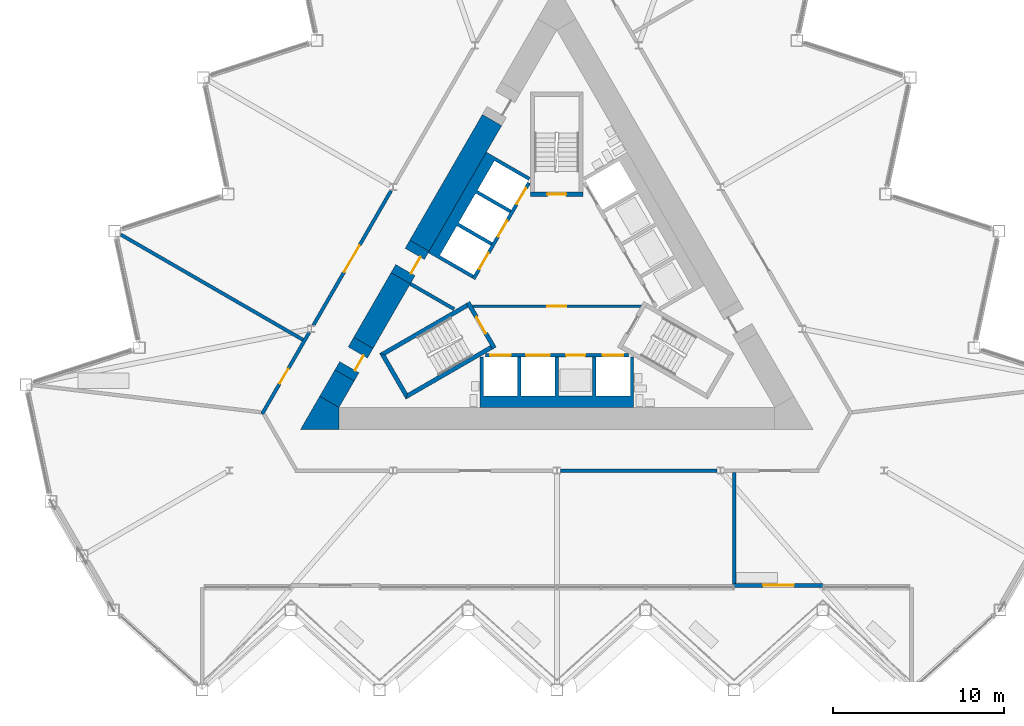
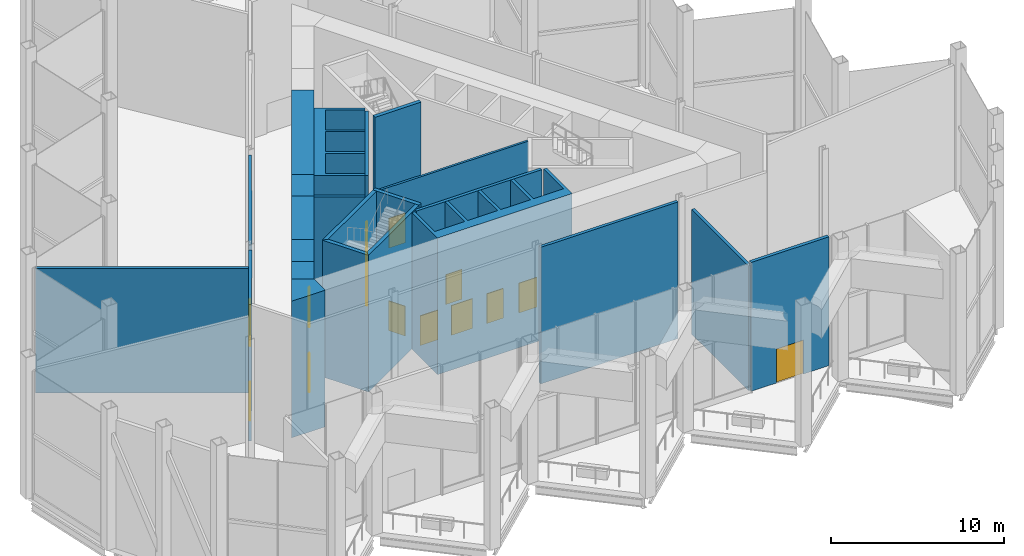
# One storey, part 9 of 17: 23 walls, 15 doors, 15 openings.
"""IFC4 building model written with IfcOpenShell, lengths in metres."""

from ifc_helpers import new_model, si_unit, direction, frame, frame_2d, origin, place, context, subcontext, project, spatial, polyline, rectangle, outline, extrude, material, layer, layer_set, type_object, element, fill, save


model = new_model("IFC4")

# Units and contexts
model_context = context("Model", 3, precision=1e-05, world=origin(), true_north=direction((0.0, 1.0)))
body_context = subcontext(model_context, "Body", "Model", "MODEL_VIEW")
ifc_project = project(units=[si_unit("LENGTHUNIT", "METRE"), si_unit("AREAUNIT", "SQUARE_METRE"), si_unit("VOLUMEUNIT", "CUBIC_METRE"), si_unit("PLANEANGLEUNIT", "RADIAN"), si_unit("MASSUNIT", "GRAM", prefix="KILO")], contexts=[model_context])

# Site, building, storey
site_placement = place(None, origin())
site = spatial("IfcSite", under=ifc_project, at=site_placement, CompositionType="ELEMENT")
building_placement = place(site_placement, origin())
building = spatial("IfcBuilding", under=site, at=building_placement, Name="Cormorant Prow Tower", CompositionType="ELEMENT")
storey_placement = place(building_placement, frame((0.0, 0.0, 277.800048828125)))
storey = spatial("IfcBuildingStorey", under=building, at=storey_placement, Name="L63", CompositionType="ELEMENT", Elevation=277.800048828125)

# Wall, opening, door
ifc_material_1 = material(Name="Gypsum board partition")
ifc_layer_1 = layer(ifc_material_1, 0.14990234375)
ifc_layer_set_1 = layer_set([ifc_layer_1], Name="Gypsum board partition")
wall_type_1 = type_object("IfcWallType", Name="Core partition 150", PredefinedType="PARTITIONING", material=ifc_layer_set_1)
wall_1_placement = place(storey_placement, frame((-4.941162109375, -1.449951171875, 0.0), z_axis=(0.0, 0.0, 1.0), x_axis=(1.0, 0.0, 0.0)))
wall_1 = element("IfcWall", 1, at=wall_1_placement, inside=storey, type_object=wall_type_1, Name="Firefighting lobby partition", PredefinedType="PARTITIONING", context=body_context, shape_type="SweptSolid", body=[
    extrude(rectangle(XDim=9.88232421875, YDim=0.14990234375, at=frame_2d((4.941162109375, 0.0))), origin(), (0.0, 0.0, 1.0), 9.64990234375),
])
opening_1_placement = place(wall_1_placement, frame((4.39111328125, 0.0, 0.0)))
opening_1 = element("IfcOpeningElement", 2, at=opening_1_placement, cuts=wall_1, Name="Opening L63-C12", PredefinedType="OPENING", context=body_context, shape_type="SweptSolid", body=[
    extrude(rectangle(XDim=1.10009765625, YDim=2.10009765625, at=frame_2d((0.550048828125, 1.050048828125))), frame((0.0, 0.0849609375, 0.0), z_axis=(0.0, -1.0, 0.0), x_axis=(1.0, 0.0, 0.0)), (0.0, 0.0, 1.0), 0.169921875),
])
ifc_material_2 = material(Name="Painted steel", Category="steel")
door_type_1 = type_object("IfcDoorType", Name="Firefighting lobby door 1100x2100", OperationType="NOTDEFINED", PredefinedType="DOOR", material=ifc_material_2)
door_1_placement = place(opening_1_placement, origin())
door_1 = element("IfcDoor", 3, at=door_1_placement, inside=storey, type_object=door_type_1, Name="Firefighting lobby door", OperationType="SINGLE_SWING_LEFT", OverallHeight=2.10009765625, OverallWidth=1.10009765625, PredefinedType="DOOR", context=body_context, shape_type="SweptSolid", body=[
    extrude(rectangle(XDim=1.10009765625, YDim=2.10009765625, at=frame_2d((0.550048828125, 1.050048828125))), frame((0.0, 0.02490234375, 0.0), z_axis=(0.0, -1.0, 0.0), x_axis=(1.0, 0.0, 0.0)), (0.0, 0.0, 1.0), 0.050048828125),
])
fill(opening_1, door_1)

# Walls
ifc_material_3 = material(Name="Concrete 8000 psi", Category="concrete")
ifc_layer_2 = layer(ifc_material_3, 1.300048828125)
ifc_layer_set_2 = layer_set([ifc_layer_2], Name="Concrete 8000 psi")
wall_type_2 = type_object("IfcWallType", Name="Core shear wall 1300", PredefinedType="SHEAR", material=ifc_layer_set_2)
wall_2_placement = place(storey_placement, frame((-3.79296875, 9.450927734375, 0.0), z_axis=(0.0, 0.0, 1.0), x_axis=(-0.499999641798, -0.866025610592, 0.0)))
element("IfcWall", 4, at=wall_2_placement, inside=storey, type_object=wall_type_2, Name="Core wall", PredefinedType="SHEAR", context=body_context, shape_type="SweptSolid", body=[
    extrude(rectangle(XDim=8.48828125, YDim=1.300048828125, at=frame_2d((4.244140625, 0.0))), origin(), (0.0, 0.0, 1.0), 9.64990234375),
])
wall_3_placement = place(storey_placement, frame((-9.13720703125, 0.194580078125, 0.0), z_axis=(0.0, 0.0, 1.0), x_axis=(-0.499985697398, -0.866033661238, 0.0)))
element("IfcWall", 5, at=wall_3_placement, inside=storey, type_object=wall_type_2, Name="Core wall", PredefinedType="SHEAR", context=body_context, shape_type="SweptSolid", body=[
    extrude(rectangle(XDim=4.362060546875, YDim=1.300048828125, at=frame_2d((2.18115234375, 0.0))), origin(), (0.0, 0.0, 1.0), 9.64990234375),
])
wall_4_placement = place(storey_placement, frame((-12.418212890625, -5.48828125, 0.0), z_axis=(0.0, 0.0, 1.0), x_axis=(-0.499931460552, -0.866064971437, 0.0)))
element("IfcWall", 6, at=wall_4_placement, inside=storey, type_object=wall_type_2, Name="Core wall", PredefinedType="SHEAR", context=body_context, shape_type="SweptSolid", body=[
    extrude(rectangle(XDim=1.786376953125, YDim=1.300048828125, at=frame_2d((0.89306640625, 0.0))), origin(), (0.0, 0.0, 1.0), 9.64990234375),
])
wall_5_placement = place(storey_placement, origin())
element("IfcWall", 7, at=wall_5_placement, inside=storey, type_object=wall_type_2, Name="Core wall corner", PredefinedType="SHEAR", context=body_context, shape_type="SweptSolid", body=[
    extrude(outline(polyline([(-13.874267578125, -6.710205078125), (-12.748291015625, -7.3603515625), (-12.748291015625, -8.660400390625), (-15.0, -8.660400390625), (-13.874267578125, -6.710205078125)])), origin(), (0.0, 0.0, 1.0), 9.64990234375),
])

# Wall, opening, door
wall_6_placement = place(storey_placement, frame((-11.318115234375, -3.5830078125, 0.0), z_axis=(0.0, 0.0, 1.0), x_axis=(-0.50002983664, -0.866008176907, 0.0)))
wall_6 = element("IfcWall", 8, at=wall_6_placement, inside=storey, type_object=wall_type_2, Name="Core wall door panel", PredefinedType="SHEAR", context=body_context, shape_type="SweptSolid", body=[
    extrude(rectangle(XDim=2.199951171875, YDim=1.300048828125, at=frame_2d((1.10009765625, 0.0))), origin(), (0.0, 0.0, 1.0), 9.64990234375),
])
opening_2_placement = place(wall_6_placement, frame((0.64990234375, 0.0, 0.0)))
opening_2 = element("IfcOpeningElement", 9, at=opening_2_placement, cuts=wall_6, Name="Opening L63-C16", PredefinedType="OPENING", context=body_context, shape_type="SweptSolid", body=[
    extrude(rectangle(XDim=1.0, YDim=2.10009765625, at=frame_2d((0.5, 1.050048828125))), frame((0.0, 0.659912109375, 0.0), z_axis=(0.0, -1.0, 0.0), x_axis=(1.0, 0.0, 0.0)), (0.0, 0.0, 1.0), 1.320068359375),
])
ifc_material_4 = material(Name="Painted steel", Category="steel")
door_type_2 = type_object("IfcDoorType", Name="Service door 1000x2100", OperationType="NOTDEFINED", PredefinedType="DOOR", material=ifc_material_4)
door_2_placement = place(opening_2_placement, origin())
door_2 = element("IfcDoor", 10, at=door_2_placement, inside=storey, type_object=door_type_2, Name="Core door, Accessible WC L63", OperationType="SINGLE_SWING_LEFT", OverallHeight=2.10009765625, OverallWidth=1.0, PredefinedType="DOOR", context=body_context, shape_type="SweptSolid", body=[
    extrude(rectangle(XDim=1.0, YDim=2.10009765625, at=frame_2d((0.5, 1.050048828125))), frame((0.0, 0.40478515625, 0.0), z_axis=(0.0, -1.0, 0.0), x_axis=(1.0, 0.0, 0.0)), (0.0, 0.0, 1.0), 0.050048828125),
])
fill(opening_2, door_2)

wall_7_placement = place(storey_placement, frame((-8.037109375, 2.099853515625, 0.0), z_axis=(0.0, 0.0, 1.0), x_axis=(-0.50002983664, -0.866008176907, 0.0)))
wall_7 = element("IfcWall", 11, at=wall_7_placement, inside=storey, type_object=wall_type_2, Name="Core wall door panel", PredefinedType="SHEAR", context=body_context, shape_type="SweptSolid", body=[
    extrude(rectangle(XDim=2.199951171875, YDim=1.300048828125, at=frame_2d((1.10009765625, 0.0))), origin(), (0.0, 0.0, 1.0), 9.64990234375),
])
opening_3_placement = place(wall_7_placement, frame((0.550048828125, 0.0, 0.0)))
opening_3 = element("IfcOpeningElement", 12, at=opening_3_placement, cuts=wall_7, Name="Opening L63-C19", PredefinedType="OPENING", context=body_context, shape_type="SweptSolid", body=[
    extrude(rectangle(XDim=1.10009765625, YDim=2.10009765625, at=frame_2d((0.550048828125, 1.050048828125))), frame((0.0, 0.659912109375, 0.0), z_axis=(0.0, -1.0, 0.0), x_axis=(1.0, 0.0, 0.0)), (0.0, 0.0, 1.0), 1.320068359375),
])
ifc_material_5 = material(Name="Painted steel", Category="steel")
door_type_3 = type_object("IfcDoorType", Name="Core door 1100x2100", OperationType="NOTDEFINED", PredefinedType="DOOR", material=ifc_material_5)
door_3_placement = place(opening_3_placement, origin())
door_3 = element("IfcDoor", 13, at=door_3_placement, inside=storey, type_object=door_type_3, Name="Core door, lift lobby", OperationType="SINGLE_SWING_RIGHT", OverallHeight=2.10009765625, OverallWidth=1.10009765625, PredefinedType="DOOR", context=body_context, shape_type="SweptSolid", body=[
    extrude(rectangle(XDim=1.10009765625, YDim=2.10009765625, at=frame_2d((0.550048828125, 1.050048828125))), frame((0.0, 0.40478515625, 0.0), z_axis=(0.0, -1.0, 0.0), x_axis=(1.0, 0.0, 0.0)), (0.0, 0.0, 1.0), 0.050048828125),
])
fill(opening_3, door_3)

# Wall
ifc_material_6 = material(Name="Gypsum board corridor wall")
ifc_layer_3 = layer(ifc_material_6, 0.199951171875)
ifc_layer_set_3 = layer_set([ifc_layer_3], Name="Gypsum board corridor wall")
wall_type_3 = type_object("IfcWallType", Name="Corridor wall 200", PredefinedType="PARTITIONING", material=ifc_layer_set_3)
wall_8_placement = place(storey_placement, frame((0.20947265625, -11.060302734375, 0.0), z_axis=(0.0, 0.0, 1.0), x_axis=(1.0, 0.0, 0.0)))
element("IfcWall", 14, at=wall_8_placement, inside=storey, type_object=wall_type_3, Name="Corridor wall", PredefinedType="PARTITIONING", context=body_context, shape_type="SweptSolid", body=[
    extrude(rectangle(XDim=9.159423828125, YDim=0.199951171875, at=frame_2d((4.57958984375, 0.0))), origin(), (0.0, 0.0, 1.0), 9.64990234375),
])

# Wall, opening, door
wall_9_placement = place(storey_placement, frame((-14.24658203125, -2.5556640625, 0.0), z_axis=(0.0, 0.0, 1.0), x_axis=(0.49998193945, 0.866035830797, 0.0)))
wall_9 = element("IfcWall", 15, at=wall_9_placement, inside=storey, type_object=wall_type_3, Name="Corridor wall", PredefinedType="PARTITIONING", context=body_context, shape_type="SweptSolid", body=[
    extrude(rectangle(XDim=9.094482421875, YDim=0.199951171875, at=frame_2d((4.54736328125, 0.0))), origin(), (0.0, 0.0, 1.0), 9.64990234375),
])
opening_4_placement = place(wall_9_placement, frame((3.5966796875, 0.0, 0.0)))
opening_4 = element("IfcOpeningElement", 16, at=opening_4_placement, cuts=wall_9, Name="Opening L63-F05", PredefinedType="OPENING", context=body_context, shape_type="SweptSolid", body=[
    extrude(rectangle(XDim=1.800048828125, YDim=2.10009765625, at=frame_2d((0.89990234375, 1.050048828125))), frame((0.0, 0.10986328125, 0.0), z_axis=(0.0, -1.0, 0.0), x_axis=(1.0, 0.0, 0.0)), (0.0, 0.0, 1.0), 0.219970703125),
])
ifc_material_7 = material(Name="Timber door leaf", Category="wood")
door_type_4 = type_object("IfcDoorType", Name="Double door 1800x2100", OperationType="DOUBLE_DOOR_SINGLE_SWING", PredefinedType="DOOR", material=ifc_material_7)
door_4_placement = place(opening_4_placement, origin())
door_4 = element("IfcDoor", 17, at=door_4_placement, inside=storey, type_object=door_type_4, Name="Executive suites door", OperationType="DOUBLE_DOOR_SINGLE_SWING", OverallHeight=2.10009765625, OverallWidth=1.800048828125, PredefinedType="DOOR", context=body_context, shape_type="SweptSolid", body=[
    extrude(rectangle(XDim=1.800048828125, YDim=2.10009765625, at=frame_2d((0.89990234375, 1.050048828125))), frame((0.0, 0.02490234375, 0.0), z_axis=(0.0, -1.0, 0.0), x_axis=(1.0, 0.0, 0.0)), (0.0, 0.0, 1.0), 0.050048828125),
])
fill(opening_4, door_4)

wall_10_placement = place(storey_placement, frame((-17.243896484375, -7.746826171875, 0.0), z_axis=(0.0, 0.0, 1.0), x_axis=(0.500017753321, 0.866015153657, 0.0)))
wall_10 = element("IfcWall", 18, at=wall_10_placement, inside=storey, type_object=wall_type_3, Name="Corridor wall", PredefinedType="PARTITIONING", context=body_context, shape_type="SweptSolid", body=[
    extrude(rectangle(XDim=5.510498046875, YDim=0.199951171875, at=frame_2d((2.75537109375, 0.0))), origin(), (0.0, 0.0, 1.0), 9.64990234375),
])
opening_5_placement = place(wall_10_placement, frame((2.0546875, 0.0, 0.0)))
opening_5 = element("IfcOpeningElement", 19, at=opening_5_placement, cuts=wall_10, Name="Opening L63-F06", PredefinedType="OPENING", context=body_context, shape_type="SweptSolid", body=[
    extrude(rectangle(XDim=1.0, YDim=2.10009765625, at=frame_2d((0.5, 1.050048828125))), frame((0.0, 0.10986328125, 0.0), z_axis=(0.0, -1.0, 0.0), x_axis=(1.0, 0.0, 0.0)), (0.0, 0.0, 1.0), 0.219970703125),
])
ifc_material_8 = material(Name="Timber door leaf", Category="wood")
door_type_5 = type_object("IfcDoorType", Name="Flat or room entrance door 1000x2100", OperationType="NOTDEFINED", PredefinedType="DOOR", material=ifc_material_8)
door_5_placement = place(opening_5_placement, origin())
door_5 = element("IfcDoor", 20, at=door_5_placement, inside=storey, type_object=door_type_5, Name="Sky lobby door", OperationType="SINGLE_SWING_RIGHT", OverallHeight=2.10009765625, OverallWidth=1.0, PredefinedType="DOOR", context=body_context, shape_type="SweptSolid", body=[
    extrude(rectangle(XDim=1.0, YDim=2.10009765625, at=frame_2d((0.5, 1.050048828125))), frame((0.0, 0.02490234375, 0.0), z_axis=(0.0, -1.0, 0.0), x_axis=(1.0, 0.0, 0.0)), (0.0, 0.0, 1.0), 0.050048828125),
])
fill(opening_5, door_5)

# Walls
ifc_material_9 = material(Name="Gypsum board demising wall")
ifc_layer_4 = layer(ifc_material_9, 0.199951171875)
ifc_layer_set_4 = layer_set([ifc_layer_4], Name="Gypsum board demising wall")
wall_type_4 = type_object("IfcWallType", Name="Demising wall 200", PredefinedType="PARTITIONING", material=ifc_layer_set_4)
wall_11_placement = place(storey_placement, frame((-25.514892578125, 2.749267578125, 0.0), z_axis=(0.0, 0.0, 1.0), x_axis=(0.866024427045, -0.500001691758, 0.0)))
element("IfcWall", 21, at=wall_11_placement, inside=storey, type_object=wall_type_4, Name="Demising wall", PredefinedType="PARTITIONING", context=body_context, shape_type="SweptSolid", body=[
    extrude(rectangle(XDim=12.31103515625, YDim=0.199951171875, at=frame_2d((6.155517578125, 0.0))), origin(), (0.0, 0.0, 1.0), 8.80419921875),
])
wall_12_placement = place(storey_placement, frame((10.37646484375, -17.746826171875, 0.0), z_axis=(0.0, 0.0, 1.0), x_axis=(0.0, 1.0, 0.0)))
element("IfcWall", 22, at=wall_12_placement, inside=storey, type_object=wall_type_4, Name="Demising wall", PredefinedType="PARTITIONING", context=body_context, shape_type="SweptSolid", body=[
    extrude(rectangle(XDim=6.58642578125, YDim=0.199951171875, at=frame_2d((3.293212890625, 0.0))), origin(), (0.0, 0.0, 1.0), 8.80419921875),
])

# Wall, openings, doors
ifc_material_10 = material(Name="Concrete 5000 psi", Category="concrete")
ifc_layer_5 = layer(ifc_material_10, 0.199951171875)
ifc_layer_set_5 = layer_set([ifc_layer_5], Name="Concrete 5000 psi")
wall_type_5 = type_object("IfcWallType", Name="Lift lobby wall 200", PredefinedType="SOLIDWALL", material=ifc_layer_set_5)
wall_13_placement = place(storey_placement, frame((-4.1865234375, -4.300048828125, 0.0), z_axis=(0.0, 0.0, 1.0), x_axis=(1.0, 0.0, 0.0)))
wall_13 = element("IfcWall", 23, at=wall_13_placement, inside=storey, type_object=wall_type_5, Name="Lift lobby wall, S block", PredefinedType="SOLIDWALL", context=body_context, shape_type="SweptSolid", body=[
    extrude(rectangle(XDim=8.373046875, YDim=0.199951171875, at=frame_2d((4.1865234375, 0.0))), origin(), (0.0, 0.0, 1.0), 9.64990234375),
])
opening_6_placement = place(wall_13_placement, frame((0.28662109375, 0.0, 0.0)))
opening_6 = element("IfcOpeningElement", 24, at=opening_6_placement, cuts=wall_13, Name="Opening L63-C01", PredefinedType="OPENING", context=body_context, shape_type="SweptSolid", body=[
    extrude(rectangle(XDim=1.199951171875, YDim=2.10009765625, at=frame_2d((0.60009765625, 1.050048828125))), frame((0.0, 0.10986328125, 0.0), z_axis=(0.0, -1.0, 0.0), x_axis=(1.0, 0.0, 0.0)), (0.0, 0.0, 1.0), 0.219970703125),
])
opening_7_placement = place(wall_13_placement, frame((2.38671875, 0.0, 0.0)))
opening_7 = element("IfcOpeningElement", 25, at=opening_7_placement, cuts=wall_13, Name="Opening L63-C02", PredefinedType="OPENING", context=body_context, shape_type="SweptSolid", body=[
    extrude(rectangle(XDim=1.39990234375, YDim=2.10009765625, at=frame_2d((0.699951171875, 1.050048828125))), frame((0.0, 0.10986328125, 0.0), z_axis=(0.0, -1.0, 0.0), x_axis=(1.0, 0.0, 0.0)), (0.0, 0.0, 1.0), 0.219970703125),
])
opening_8_placement = place(wall_13_placement, frame((4.736572265625, 0.0, 0.0)))
opening_8 = element("IfcOpeningElement", 26, at=opening_8_placement, cuts=wall_13, Name="Opening L63-C03", PredefinedType="OPENING", context=body_context, shape_type="SweptSolid", body=[
    extrude(rectangle(XDim=1.10009765625, YDim=2.10009765625, at=frame_2d((0.550048828125, 1.050048828125))), frame((0.0, 0.10986328125, 0.0), z_axis=(0.0, -1.0, 0.0), x_axis=(1.0, 0.0, 0.0)), (0.0, 0.0, 1.0), 0.219970703125),
])
opening_9_placement = place(wall_13_placement, frame((6.88671875, 0.0, 0.0)))
opening_9 = element("IfcOpeningElement", 27, at=opening_9_placement, cuts=wall_13, Name="Opening L63-C04", PredefinedType="OPENING", context=body_context, shape_type="SweptSolid", body=[
    extrude(rectangle(XDim=1.199951171875, YDim=2.10009765625, at=frame_2d((0.60009765625, 1.050048828125))), frame((0.0, 0.10986328125, 0.0), z_axis=(0.0, -1.0, 0.0), x_axis=(1.0, 0.0, 0.0)), (0.0, 0.0, 1.0), 0.219970703125),
])
ifc_material_11 = material(Name="Painted steel", Category="steel")
door_type_6 = type_object("IfcDoorType", Name="Firefighting lift landing door 1200x2100", OperationType="SLIDING_TO_LEFT", PredefinedType="DOOR", material=ifc_material_11)
door_6_placement = place(opening_6_placement, origin())
door_6 = element("IfcDoor", 28, at=door_6_placement, inside=storey, type_object=door_type_6, Name="Landing door FL1", OperationType="SLIDING_TO_LEFT", OverallHeight=2.10009765625, OverallWidth=1.199951171875, PredefinedType="DOOR", context=body_context, shape_type="SweptSolid", body=[
    extrude(rectangle(XDim=1.199951171875, YDim=2.10009765625, at=frame_2d((0.60009765625, 1.050048828125))), frame((0.0, 0.02490234375, 0.0), z_axis=(0.0, -1.0, 0.0), x_axis=(1.0, 0.0, 0.0)), (0.0, 0.0, 1.0), 0.050048828125),
])
fill(opening_6, door_6)
door_7_placement = place(opening_9_placement, origin())
door_7 = element("IfcDoor", 29, at=door_7_placement, inside=storey, type_object=door_type_6, Name="Landing door FL2", OperationType="SLIDING_TO_LEFT", OverallHeight=2.10009765625, OverallWidth=1.199951171875, PredefinedType="DOOR", context=body_context, shape_type="SweptSolid", body=[
    extrude(rectangle(XDim=1.199951171875, YDim=2.10009765625, at=frame_2d((0.60009765625, 1.050048828125))), frame((0.0, 0.02490234375, 0.0), z_axis=(0.0, -1.0, 0.0), x_axis=(1.0, 0.0, 0.0)), (0.0, 0.0, 1.0), 0.050048828125),
])
fill(opening_9, door_7)
ifc_material_12 = material(Name="Painted steel", Category="steel")
door_type_7 = type_object("IfcDoorType", Name="Lift landing door 1100x2100", OperationType="SLIDING_TO_LEFT", PredefinedType="DOOR", material=ifc_material_12)
door_8_placement = place(opening_8_placement, origin())
door_8 = element("IfcDoor", 30, at=door_8_placement, inside=storey, type_object=door_type_7, Name="Landing door HR1", OperationType="SLIDING_TO_LEFT", OverallHeight=2.10009765625, OverallWidth=1.10009765625, PredefinedType="DOOR", context=body_context, shape_type="SweptSolid", body=[
    extrude(rectangle(XDim=1.10009765625, YDim=2.10009765625, at=frame_2d((0.550048828125, 1.050048828125))), frame((0.0, 0.02490234375, 0.0), z_axis=(0.0, -1.0, 0.0), x_axis=(1.0, 0.0, 0.0)), (0.0, 0.0, 1.0), 0.050048828125),
])
fill(opening_8, door_8)
ifc_material_13 = material(Name="Painted steel", Category="steel")
door_type_8 = type_object("IfcDoorType", Name="Service lift landing door 1400x2100", OperationType="SLIDING_TO_LEFT", PredefinedType="DOOR", material=ifc_material_13)
door_9_placement = place(opening_7_placement, origin())
door_9 = element("IfcDoor", 31, at=door_9_placement, inside=storey, type_object=door_type_8, Name="Landing door SL1", OperationType="SLIDING_TO_LEFT", OverallHeight=2.10009765625, OverallWidth=1.39990234375, PredefinedType="DOOR", context=body_context, shape_type="SweptSolid", body=[
    extrude(rectangle(XDim=1.39990234375, YDim=2.10009765625, at=frame_2d((0.699951171875, 1.050048828125))), frame((0.0, 0.02490234375, 0.0), z_axis=(0.0, -1.0, 0.0), x_axis=(1.0, 0.0, 0.0)), (0.0, 0.0, 1.0), 0.050048828125),
])
fill(opening_7, door_9)

wall_14_placement = place(storey_placement, frame((-1.630615234375, 5.775634765625, 0.0), z_axis=(0.0, 0.0, 1.0), x_axis=(-0.499992876559, -0.866029516466, 0.0)))
wall_14 = element("IfcWall", 32, at=wall_14_placement, inside=storey, type_object=wall_type_5, Name="Lift lobby wall, WNW block", PredefinedType="SOLIDWALL", context=body_context, shape_type="SweptSolid", body=[
    extrude(rectangle(XDim=6.486328125, YDim=0.199951171875, at=frame_2d((3.2431640625, 0.0))), origin(), (0.0, 0.0, 1.0), 9.64990234375),
])
opening_10_placement = place(wall_14_placement, frame((0.336669921875, 0.0, 0.0)))
opening_10 = element("IfcOpeningElement", 33, at=opening_10_placement, cuts=wall_14, Name="Opening L63-C09", PredefinedType="OPENING", context=body_context, shape_type="SweptSolid", body=[
    extrude(rectangle(XDim=1.10009765625, YDim=2.10009765625, at=frame_2d((0.550048828125, 1.050048828125))), frame((0.0, 0.10986328125, 0.0), z_axis=(0.0, -1.0, 0.0), x_axis=(1.0, 0.0, 0.0)), (0.0, 0.0, 1.0), 0.219970703125),
])
opening_11_placement = place(wall_14_placement, frame((2.53662109375, 0.0, 0.0)))
opening_11 = element("IfcOpeningElement", 34, at=opening_11_placement, cuts=wall_14, Name="Opening L63-C10", PredefinedType="OPENING", context=body_context, shape_type="SweptSolid", body=[
    extrude(rectangle(XDim=1.10009765625, YDim=2.10009765625, at=frame_2d((0.550048828125, 1.050048828125))), frame((0.0, 0.10986328125, 0.0), z_axis=(0.0, -1.0, 0.0), x_axis=(1.0, 0.0, 0.0)), (0.0, 0.0, 1.0), 0.219970703125),
])
opening_12_placement = place(wall_14_placement, frame((4.736572265625, 0.0, 0.0)))
opening_12 = element("IfcOpeningElement", 35, at=opening_12_placement, cuts=wall_14, Name="Opening L63-C11", PredefinedType="OPENING", context=body_context, shape_type="SweptSolid", body=[
    extrude(rectangle(XDim=1.10009765625, YDim=2.10009765625, at=frame_2d((0.550048828125, 1.050048828125))), frame((0.0, 0.10986328125, 0.0), z_axis=(0.0, -1.0, 0.0), x_axis=(1.0, 0.0, 0.0)), (0.0, 0.0, 1.0), 0.219970703125),
])
door_10_placement = place(opening_10_placement, origin())
door_10 = element("IfcDoor", 36, at=door_10_placement, inside=storey, type_object=door_type_7, Name="Landing door MR2", OperationType="SLIDING_TO_LEFT", OverallHeight=2.10009765625, OverallWidth=1.10009765625, PredefinedType="DOOR", context=body_context, shape_type="SweptSolid", body=[
    extrude(rectangle(XDim=1.10009765625, YDim=2.10009765625, at=frame_2d((0.550048828125, 1.050048828125))), frame((0.0, 0.02490234375, 0.0), z_axis=(0.0, -1.0, 0.0), x_axis=(1.0, 0.0, 0.0)), (0.0, 0.0, 1.0), 0.050048828125),
])
fill(opening_10, door_10)
door_11_placement = place(opening_11_placement, origin())
door_11 = element("IfcDoor", 37, at=door_11_placement, inside=storey, type_object=door_type_7, Name="Landing door MR3", OperationType="SLIDING_TO_LEFT", OverallHeight=2.10009765625, OverallWidth=1.10009765625, PredefinedType="DOOR", context=body_context, shape_type="SweptSolid", body=[
    extrude(rectangle(XDim=1.10009765625, YDim=2.10009765625, at=frame_2d((0.550048828125, 1.050048828125))), frame((0.0, 0.02490234375, 0.0), z_axis=(0.0, -1.0, 0.0), x_axis=(1.0, 0.0, 0.0)), (0.0, 0.0, 1.0), 0.050048828125),
])
fill(opening_11, door_11)
door_12_placement = place(opening_12_placement, origin())
door_12 = element("IfcDoor", 38, at=door_12_placement, inside=storey, type_object=door_type_7, Name="Landing door SH1", OperationType="SLIDING_TO_LEFT", OverallHeight=2.10009765625, OverallWidth=1.10009765625, PredefinedType="DOOR", context=body_context, shape_type="SweptSolid", body=[
    extrude(rectangle(XDim=1.10009765625, YDim=2.10009765625, at=frame_2d((0.550048828125, 1.050048828125))), frame((0.0, 0.02490234375, 0.0), z_axis=(0.0, -1.0, 0.0), x_axis=(1.0, 0.0, 0.0)), (0.0, 0.0, 1.0), 0.050048828125),
])
fill(opening_12, door_12)

# Walls
ifc_material_14 = material(Name="Concrete 8000 psi", Category="concrete")
ifc_layer_6 = layer(ifc_material_14, 0.199951171875)
ifc_layer_set_6 = layer_set([ifc_layer_6], Name="Concrete 8000 psi")
wall_type_6 = type_object("IfcWallType", Name="Lift shaft wall 200", PredefinedType="SHEAR", material=ifc_layer_set_6)
wall_15_placement = place(storey_placement, origin())
element("IfcWall", 39, at=wall_15_placement, inside=storey, type_object=wall_type_6, Name="Lift shaft walls, S block", PredefinedType="SHEAR", context=body_context, shape_type="SweptSolid", body=[
    extrude(outline(polyline([(4.5, -7.3603515625), (-4.5, -7.3603515625), (-4.5, -4.39990234375), (-4.300048828125, -4.39990234375), (-4.300048828125, -6.699951171875), (-2.300048828125, -6.699951171875), (-2.300048828125, -4.39990234375), (-2.10009765625, -4.39990234375), (-2.10009765625, -6.699951171875), (-0.10009765625, -6.699951171875), (-0.10009765625, -4.39990234375), (0.10009765625, -4.39990234375), (0.10009765625, -6.699951171875), (2.10009765625, -6.699951171875), (2.10009765625, -4.39990234375), (2.300048828125, -4.39990234375), (2.300048828125, -6.699951171875), (4.300048828125, -6.699951171875), (4.300048828125, -4.39990234375), (4.5, -4.39990234375), (4.5, -7.3603515625)])), origin(), (0.0, 0.0, 1.0), 9.64990234375),
])
wall_16_placement = place(storey_placement, origin())
element("IfcWall", 40, at=wall_16_placement, inside=storey, type_object=wall_type_6, Name="Lift shaft walls, WNW block", PredefinedType="SHEAR", context=body_context, shape_type="SweptSolid", body=[
    extrude(outline(polyline([(-7.524169921875, 1.688232421875), (-4.124267578125, 7.5771484375), (-3.730712890625, 7.35009765625), (-1.560546875, 6.09716796875), (-1.660400390625, 5.923828125), (-3.65234375, 7.073974609375), (-4.65234375, 5.341796875), (-2.660400390625, 4.19189453125), (-2.760498046875, 4.018798828125), (-4.75244140625, 5.168701171875), (-5.75244140625, 3.4365234375), (-3.760498046875, 2.28662109375), (-3.860595703125, 2.11328125), (-5.852294921875, 3.263427734375), (-6.852294921875, 1.53125), (-4.860595703125, 0.38134765625), (-4.96044921875, 0.2080078125), (-7.130859375, 1.461181640625), (-7.524169921875, 1.688232421875)])), origin(), (0.0, 0.0, 1.0), 9.64990234375),
])
wall_17_placement = place(storey_placement, origin())
element("IfcWall", 41, at=wall_17_placement, inside=storey, type_object=wall_type_6, Name="Lift shaft walls, WNW block", PredefinedType="SHEAR", context=body_context, shape_type="SweptSolid", body=[
    extrude(outline(polyline([(-8.524169921875, -0.043701171875), (-8.130859375, -0.27099609375), (-5.96044921875, -1.52392578125), (-6.060546875, -1.697021484375), (-8.230712890625, -0.444091796875), (-8.624267578125, -0.217041015625), (-8.524169921875, -0.043701171875)])), origin(), (0.0, 0.0, 1.0), 9.64990234375),
])
ifc_material_15 = material(Name="Concrete 8000 psi", Category="concrete")
ifc_layer_7 = layer(ifc_material_15, 0.25)
ifc_layer_set_7 = layer_set([ifc_layer_7], Name="Concrete 8000 psi")
wall_type_7 = type_object("IfcWallType", Name="Stair wall 250", PredefinedType="SHEAR", material=ifc_layer_set_7)
wall_18_placement = place(storey_placement, origin())
element("IfcWall", 42, at=wall_18_placement, inside=storey, type_object=wall_type_7, Name="Stair ST1 enclosure wall (flank)", PredefinedType="SHEAR", context=body_context, shape_type="SweptSolid", body=[
    extrude(outline(polyline([(-5.30712890625, -1.28125), (-10.37353515625, -4.206298828125), (-10.031982421875, -4.2978515625), (-5.18212890625, -1.497802734375), (-5.30712890625, -1.28125)])), origin(), (0.0, 0.0, 1.0), 9.64990234375),
])
wall_19_placement = place(storey_placement, origin())
element("IfcWall", 43, at=wall_19_placement, inside=storey, type_object=wall_type_7, Name="Stair ST1 enclosure wall (end)", PredefinedType="SHEAR", context=body_context, shape_type="SweptSolid", body=[
    extrude(outline(polyline([(-10.37353515625, -4.206298828125), (-8.82958984375, -6.880615234375), (-8.738037109375, -6.5390625), (-10.031982421875, -4.2978515625), (-10.37353515625, -4.206298828125)])), origin(), (0.0, 0.0, 1.0), 9.64990234375),
])
wall_20_placement = place(storey_placement, origin())
element("IfcWall", 44, at=wall_20_placement, inside=storey, type_object=wall_type_7, Name="Stair ST1 enclosure wall (flank)", PredefinedType="SHEAR", context=body_context, shape_type="SweptSolid", body=[
    extrude(outline(polyline([(-8.738037109375, -6.5390625), (-8.82958984375, -6.880615234375), (-3.76318359375, -3.95556640625), (-3.88818359375, -3.739013671875), (-8.738037109375, -6.5390625)])), origin(), (0.0, 0.0, 1.0), 9.64990234375),
])

# Wall, opening, door
wall_21_placement = place(storey_placement, frame((-5.198974609375, -1.21875, 0.0), z_axis=(0.0, 0.0, 1.0), x_axis=(0.499982516597, -0.866035497597, 0.0)))
wall_21 = element("IfcWall", 45, at=wall_21_placement, inside=storey, type_object=wall_type_7, Name="Stair ST1 door wall", PredefinedType="SHEAR", context=body_context, shape_type="SweptSolid", body=[
    extrude(rectangle(XDim=3.087890625, YDim=0.25, at=frame_2d((1.5439453125, 0.0))), origin(), (0.0, 0.0, 1.0), 9.64990234375),
])
opening_13_placement = place(wall_21_placement, frame((0.993896484375, 0.0, 0.0)))
opening_13 = element("IfcOpeningElement", 46, at=opening_13_placement, cuts=wall_21, Name="Opening L63-C13", PredefinedType="OPENING", context=body_context, shape_type="SweptSolid", body=[
    extrude(rectangle(XDim=1.10009765625, YDim=2.10009765625, at=frame_2d((0.550048828125, 1.050048828125))), frame((0.0, 0.135009765625, 0.0), z_axis=(0.0, -1.0, 0.0), x_axis=(1.0, 0.0, 0.0)), (0.0, 0.0, 1.0), 0.27001953125),
])
ifc_material_16 = material(Name="Painted steel", Category="steel")
door_type_9 = type_object("IfcDoorType", Name="Stair door 1100x2100", OperationType="NOTDEFINED", PredefinedType="DOOR", material=ifc_material_16)
door_13_placement = place(opening_13_placement, origin())
door_13 = element("IfcDoor", 47, at=door_13_placement, inside=storey, type_object=door_type_9, Name="Stair ST1 door", OperationType="SINGLE_SWING_LEFT", OverallHeight=2.10009765625, OverallWidth=1.10009765625, PredefinedType="DOOR", context=body_context, shape_type="SweptSolid", body=[
    extrude(rectangle(XDim=1.10009765625, YDim=2.10009765625, at=frame_2d((0.550048828125, 1.050048828125))), frame((0.0, 0.02490234375, 0.0), z_axis=(0.0, -1.0, 0.0), x_axis=(1.0, 0.0, 0.0)), (0.0, 0.0, 1.0), 0.050048828125),
])
fill(opening_13, door_13)

wall_22_placement = place(storey_placement, frame((1.5439453125, 5.11181640625, 0.0), z_axis=(0.0, 0.0, 1.0), x_axis=(-1.0, 0.0, 0.0)))
wall_22 = element("IfcWall", 48, at=wall_22_placement, inside=storey, type_object=wall_type_7, Name="Stair ST3 door wall", PredefinedType="SHEAR", context=body_context, shape_type="SweptSolid", body=[
    extrude(rectangle(XDim=3.087890625, YDim=0.25, at=frame_2d((1.5439453125, 0.0))), origin(), (0.0, 0.0, 1.0), 9.64990234375),
])
opening_14_placement = place(wall_22_placement, frame((0.993896484375, 0.0, 0.0)))
opening_14 = element("IfcOpeningElement", 49, at=opening_14_placement, cuts=wall_22, Name="Opening L63-C15", PredefinedType="OPENING", context=body_context, shape_type="SweptSolid", body=[
    extrude(rectangle(XDim=1.10009765625, YDim=2.10009765625, at=frame_2d((0.550048828125, 1.050048828125))), frame((0.0, 0.135009765625, 0.0), z_axis=(0.0, -1.0, 0.0), x_axis=(1.0, 0.0, 0.0)), (0.0, 0.0, 1.0), 0.27001953125),
])
door_14_placement = place(opening_14_placement, origin())
door_14 = element("IfcDoor", 50, at=door_14_placement, inside=storey, type_object=door_type_9, Name="Stair ST3 door", OperationType="SINGLE_SWING_RIGHT", OverallHeight=2.10009765625, OverallWidth=1.10009765625, PredefinedType="DOOR", context=body_context, shape_type="SweptSolid", body=[
    extrude(rectangle(XDim=1.10009765625, YDim=2.10009765625, at=frame_2d((0.550048828125, 1.050048828125))), frame((0.0, 0.02490234375, 0.0), z_axis=(0.0, -1.0, 0.0), x_axis=(1.0, 0.0, 0.0)), (0.0, 0.0, 1.0), 0.050048828125),
])
fill(opening_14, door_14)

ifc_material_17 = material(Name="Terracotta", Category="masonry")
ifc_layer_8 = layer(ifc_material_17, 0.219970703125)
ifc_layer_set_8 = layer_set([ifc_layer_8], Name="Terracotta")
wall_type_8 = type_object("IfcWallType", Name="Terracotta loggia wall 220", PredefinedType="SOLIDWALL", material=ifc_layer_set_8)
wall_23_placement = place(storey_placement, frame((10.37646484375, -17.77685546875, 0.0), z_axis=(0.0, 0.0, 1.0), x_axis=(1.0, 0.0, 0.0)))
wall_23 = element("IfcWall", 51, at=wall_23_placement, inside=storey, type_object=wall_type_8, Name="Terracotta loggia wall S07", PredefinedType="SOLIDWALL", context=body_context, shape_type="SweptSolid", body=[
    extrude(rectangle(XDim=5.188232421875, YDim=0.219970703125, at=frame_2d((2.59423828125, 0.0))), origin(), (0.0, 0.0, 1.0), 9.100830078125),
])
opening_15_placement = place(wall_23_placement, frame((1.694091796875, 0.0, 0.0)))
opening_15 = element("IfcOpeningElement", 52, at=opening_15_placement, cuts=wall_23, Name="Opening ED63.02", PredefinedType="OPENING", context=body_context, shape_type="SweptSolid", body=[
    extrude(rectangle(XDim=1.800048828125, YDim=2.39990234375, at=frame_2d((0.89990234375, 1.199951171875))), frame((0.0, 0.119873046875, 0.0), z_axis=(0.0, -1.0, 0.0), x_axis=(1.0, 0.0, 0.0)), (0.0, 0.0, 1.0), 0.239990234375),
])
ifc_material_18 = material(Name="Aluminium 6063-T6", Category="aluminium")
door_type_10 = type_object("IfcDoorType", Name="Terrace door 1800x2400", OperationType="DOUBLE_DOOR_SINGLE_SWING", PredefinedType="DOOR", material=ifc_material_18)
door_15_placement = place(opening_15_placement, origin())
door_15 = element("IfcDoor", 53, at=door_15_placement, inside=storey, type_object=door_type_10, Name="Terrace door S07 ED63.02", OperationType="DOUBLE_DOOR_SINGLE_SWING", OverallHeight=2.39990234375, OverallWidth=1.800048828125, PredefinedType="DOOR", context=body_context, shape_type="SweptSolid", body=[
    extrude(rectangle(XDim=1.800048828125, YDim=2.39990234375, at=frame_2d((0.89990234375, 1.199951171875))), frame((0.0, 0.02490234375, 0.0), z_axis=(0.0, -1.0, 0.0), x_axis=(1.0, 0.0, 0.0)), (0.0, 0.0, 1.0), 0.050048828125),
])
fill(opening_15, door_15)

save(model, "model.ifc")
